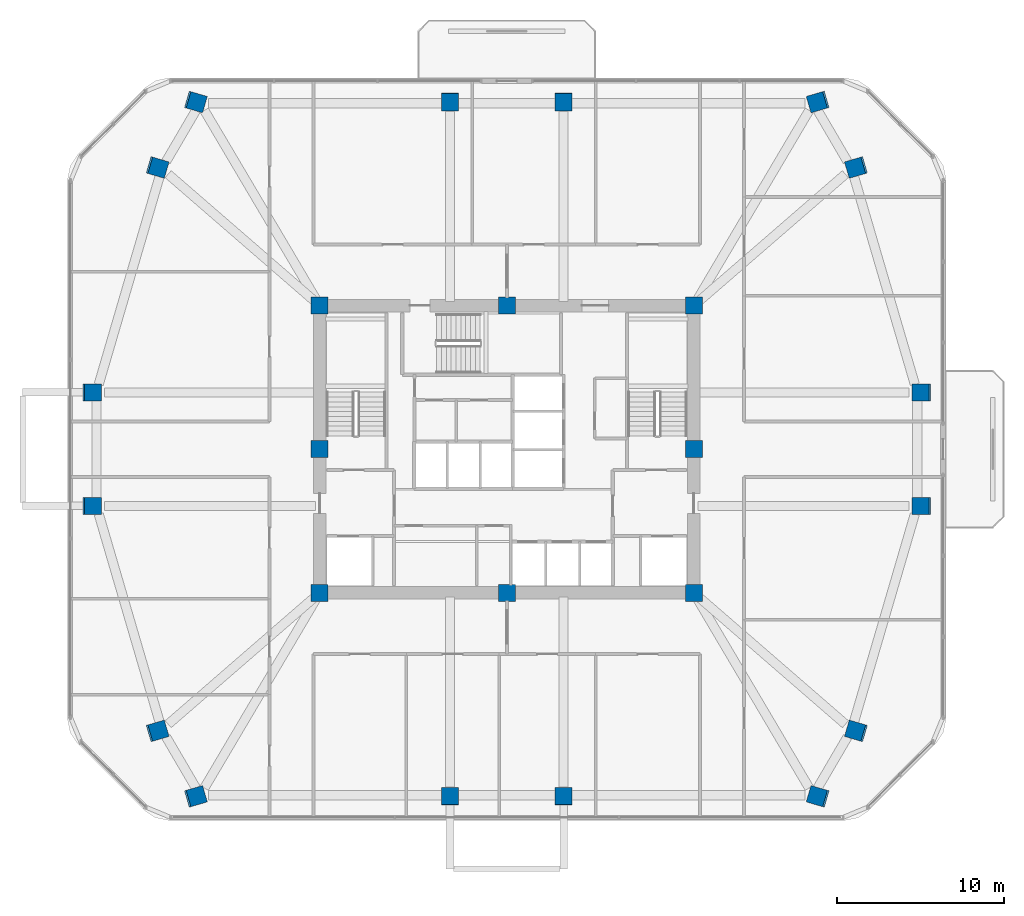
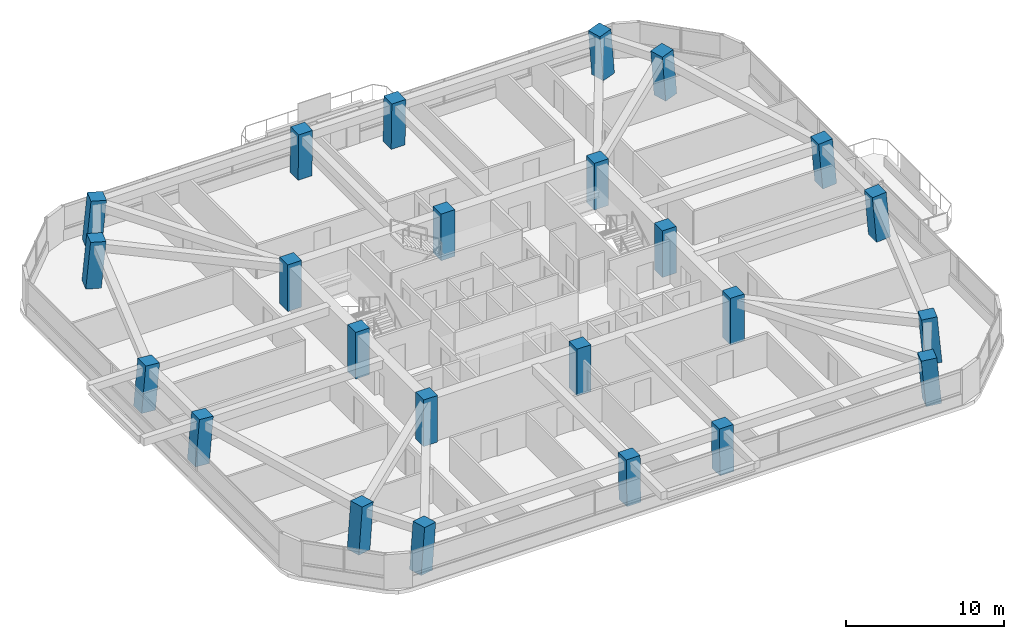
# One storey, part 1 of 14: 24 columns.
"""IFC4 building model written with IfcOpenShell, lengths in metres."""

from ifc_helpers import new_model, si_unit, derived_unit, direction, frame, origin, origin_2d, place, context, subcontext, project, spatial, rectangle, extrude, material, material_profile, profile_set, type_object, element, save


model = new_model("IFC4")

# Units and contexts
model_context = context("Model", 3, precision=1e-05, world=origin(), true_north=direction((0.0, 1.0)))
body_context = subcontext(model_context, "Body", "Model", "MODEL_VIEW")
ifc_project = project(units=[si_unit("LENGTHUNIT", "METRE"), si_unit("AREAUNIT", "SQUARE_METRE"), si_unit("VOLUMEUNIT", "CUBIC_METRE"), si_unit("PLANEANGLEUNIT", "RADIAN"), si_unit("MASSUNIT", "GRAM", prefix="KILO"), derived_unit("THERMALTRANSMITTANCEUNIT", [(si_unit("POWERUNIT", "WATT"), 1), (si_unit("LENGTHUNIT", "METRE"), -2), (si_unit("THERMODYNAMICTEMPERATUREUNIT", "KELVIN"), -1)])], contexts=[model_context])

# Site, building, storey
site_placement = place(None, origin())
site = spatial("IfcSite", under=ifc_project, at=site_placement, CompositionType="ELEMENT")
building_placement = place(site_placement, origin())
building = spatial("IfcBuilding", under=site, at=building_placement, Name="Koralith Skygarden Medical Center", CompositionType="ELEMENT")
storey_placement = place(building_placement, frame((0.0, 0.0, 95.580078125)))
storey = spatial("IfcBuildingStorey", under=building, at=storey_placement, Name="L24", CompositionType="ELEMENT", Elevation=95.580078125)

# Columns
ifc_material = material(Name="Concrete C70/85", Category="concrete")
ifc_material_profile_1 = material_profile(ifc_material, rectangle(XDim=1.02001953125, YDim=1.02001953125, at=origin_2d()), Name="RC1020X1020")
ifc_profile_set_1 = profile_set([ifc_material_profile_1], Name="Concrete C70/85")
column_type_1 = type_object("IfcColumnType", Name="Core Mega-Column C70 RC1020", PredefinedType="COLUMN", material=ifc_profile_set_1)
for number, where, z_axis, x_axis, name in (
    (1, (25.800048828125, 17.300048828125, 0.0), (0.0, 0.0, 1.0), (1.0, 0.0, 0.0), "L24 Core Column CC-01"),
    (2, (37.0, 17.300048828125, 0.0), (0.0, 0.0, 1.0), (1.0, 0.0, 0.0), "L24 Core Column CC-02"),
    (3, (48.199951171875, 17.300048828125, 0.0), (0.0, 0.0, 1.0), (1.0, 0.0, 0.0), "L24 Core Column CC-03"),
    (4, (48.199951171875, 25.89990234375, 0.0), (0.0, 0.0, 1.0), (1.0, 0.0, 0.0), "L24 Core Column CC-04"),
    (5, (48.199951171875, 34.5, 0.0), (0.0, 0.0, 1.0), (1.0, 0.0, 0.0), "L24 Core Column CC-05"),
    (6, (37.0, 34.5, 0.0), (0.0, 0.0, 1.0), (1.0, 0.0, 0.0), "L24 Core Column CC-06"),
    (7, (25.800048828125, 34.5, 0.0), (0.0, 0.0, 1.0), (1.0, 0.0, 0.0), "L24 Core Column CC-07"),
    (8, (25.800048828125, 25.89990234375, 0.0), (0.0, 0.0, 1.0), (1.0, 0.0, 0.0), "L24 Core Column CC-08"),
):
    element("IfcColumn", number, at=place(storey_placement, frame(where, z_axis=z_axis, x_axis=x_axis)), inside=storey, type_object=column_type_1, Name=name, PredefinedType="COLUMN", context=body_context, shape_type="SweptSolid", body=[
        extrude(rectangle(XDim=1.02001953125, YDim=1.02001953125, at=origin_2d()), origin(), (0.0, 0.0, 1.0), 3.599853515625),
    ])
ifc_material_profile_2 = material_profile(ifc_material, rectangle(XDim=1.02001953125, YDim=1.02001953125, at=origin_2d()), Name="RC1020X1020")
ifc_profile_set_2 = profile_set([ifc_material_profile_2], Name="Concrete C70/85")
column_type_2 = type_object("IfcColumnType", Name="Zone 2 Waist-In Mega-Column C70 RC1020", PredefinedType="COLUMN", material=ifc_profile_set_2)
column_1_placement = place(storey_placement, frame((12.1240234375, 22.5, 0.02099609375), z_axis=(0.084850379912, 0.0, 0.996393703828), x_axis=(0.0, 1.0, 0.0)))
element("IfcColumn", 9, at=column_1_placement, inside=storey, type_object=column_type_2, Name="L24 Perimeter Mega-Column MC-01", PredefinedType="COLUMN", context=body_context, shape_type="SweptSolid", body=[
    extrude(rectangle(XDim=1.02001953125, YDim=1.02001953125, at=origin_2d()), origin(), (0.0, 0.0, 1.0), 3.57080078125),
])
for number, where, z_axis, x_axis, name in (
    (10, (16.044921875, 9.01708984375, 0.02099609375), (0.084552666287, 0.024880493556, 0.996108331289), (-0.282292283154, 0.959328445774, 0.0), "L24 Perimeter Mega-Column MC-02"),
    (11, (18.3359375, 5.096923828125, 0.02099609375), (0.084824545187, 0.024674988568, 0.996090327969), (-0.279316570626, 0.960199069659, 0.0), "L24 Perimeter Mega-Column MC-03"),
):
    element("IfcColumn", number, at=place(storey_placement, frame(where, z_axis=z_axis, x_axis=x_axis)), inside=storey, type_object=column_type_2, Name=name, PredefinedType="COLUMN", context=body_context, shape_type="SweptSolid", body=[
        extrude(rectangle(XDim=1.02001953125, YDim=1.02001953125, at=origin_2d()), origin(), (0.0, 0.0, 1.0), 3.57177734375),
    ])
for number, where, z_axis, x_axis, name in (
    (12, (33.60009765625, 5.096923828125, 0.02099609375), (0.0, 0.024764241283, 0.99969331915), (-1.0, 0.0, 0.0), "L24 Perimeter Mega-Column MC-04"),
    (13, (40.39990234375, 5.096923828125, 0.02099609375), (0.0, 0.024764241283, 0.99969331915), (-1.0, 0.0, 0.0), "L24 Perimeter Mega-Column MC-05"),
):
    element("IfcColumn", number, at=place(storey_placement, frame(where, z_axis=z_axis, x_axis=x_axis)), inside=storey, type_object=column_type_2, Name=name, PredefinedType="COLUMN", context=body_context, shape_type="SweptSolid", body=[
        extrude(rectangle(XDim=1.02001953125, YDim=1.02001953125, at=origin_2d()), origin(), (0.0, 0.0, 1.0), 3.558837890625),
    ])
for number, where, z_axis, x_axis, name in (
    (14, (55.6640625, 5.096923828125, 0.02099609375), (-0.084824545187, 0.024674988568, 0.996090327969), (-0.279316570626, -0.960199069659, 0.0), "L24 Perimeter Mega-Column MC-06"),
    (15, (57.955078125, 9.01708984375, 0.02099609375), (-0.084552666287, 0.024880493556, 0.996108331289), (-0.282292283154, -0.959328445774, 0.0), "L24 Perimeter Mega-Column MC-07"),
):
    element("IfcColumn", number, at=place(storey_placement, frame(where, z_axis=z_axis, x_axis=x_axis)), inside=storey, type_object=column_type_2, Name=name, PredefinedType="COLUMN", context=body_context, shape_type="SweptSolid", body=[
        extrude(rectangle(XDim=1.02001953125, YDim=1.02001953125, at=origin_2d()), origin(), (0.0, 0.0, 1.0), 3.57177734375),
    ])
for number, where, z_axis, x_axis, name in (
    (16, (61.8759765625, 22.5, 0.02099609375), (-0.084850379912, 0.0, 0.996393703828), (0.0, -1.0, 0.0), "L24 Perimeter Mega-Column MC-08"),
    (17, (61.8759765625, 29.300048828125, 0.02099609375), (-0.084850379912, 0.0, 0.996393703828), (0.0, -1.0, 0.0), "L24 Perimeter Mega-Column MC-09"),
):
    element("IfcColumn", number, at=place(storey_placement, frame(where, z_axis=z_axis, x_axis=x_axis)), inside=storey, type_object=column_type_2, Name=name, PredefinedType="COLUMN", context=body_context, shape_type="SweptSolid", body=[
        extrude(rectangle(XDim=1.02001953125, YDim=1.02001953125, at=origin_2d()), origin(), (0.0, 0.0, 1.0), 3.57080078125),
    ])
for number, where, z_axis, x_axis, name in (
    (18, (57.955078125, 42.782958984375, 0.02099609375), (-0.084552666287, -0.024880493556, 0.996108331289), (0.282292283154, -0.959328445774, 0.0), "L24 Perimeter Mega-Column MC-10"),
    (19, (55.6640625, 46.702880859375, 0.02099609375), (-0.084824114217, -0.024879917466, 0.99608526711), (0.281454582132, -0.95957455062, 0.0), "L24 Perimeter Mega-Column MC-11"),
):
    element("IfcColumn", number, at=place(storey_placement, frame(where, z_axis=z_axis, x_axis=x_axis)), inside=storey, type_object=column_type_2, Name=name, PredefinedType="COLUMN", context=body_context, shape_type="SweptSolid", body=[
        extrude(rectangle(XDim=1.02001953125, YDim=1.02001953125, at=origin_2d()), origin(), (0.0, 0.0, 1.0), 3.57177734375),
    ])
for number, where, z_axis, x_axis, name in (
    (20, (40.39990234375, 46.702880859375, 0.02099609375), (0.0, -0.024969910516, 0.999688203176), (1.0, 0.0, 0.0), "L24 Perimeter Mega-Column MC-12"),
    (21, (33.60009765625, 46.702880859375, 0.02099609375), (0.0, -0.024969910516, 0.999688203176), (1.0, 0.0, 0.0), "L24 Perimeter Mega-Column MC-13"),
):
    element("IfcColumn", number, at=place(storey_placement, frame(where, z_axis=z_axis, x_axis=x_axis)), inside=storey, type_object=column_type_2, Name=name, PredefinedType="COLUMN", context=body_context, shape_type="SweptSolid", body=[
        extrude(rectangle(XDim=1.02001953125, YDim=1.02001953125, at=origin_2d()), origin(), (0.0, 0.0, 1.0), 3.55908203125),
    ])
for number, where, z_axis, x_axis, name in (
    (22, (18.3359375, 46.702880859375, 0.02099609375), (0.084824114217, -0.024879917466, 0.99608526711), (0.281454582132, 0.95957455062, 0.0), "L24 Perimeter Mega-Column MC-14"),
    (23, (16.044921875, 42.782958984375, 0.02099609375), (0.084552666287, -0.024880493556, 0.996108331289), (0.282292283154, 0.959328445774, 0.0), "L24 Perimeter Mega-Column MC-15"),
):
    element("IfcColumn", number, at=place(storey_placement, frame(where, z_axis=z_axis, x_axis=x_axis)), inside=storey, type_object=column_type_2, Name=name, PredefinedType="COLUMN", context=body_context, shape_type="SweptSolid", body=[
        extrude(rectangle(XDim=1.02001953125, YDim=1.02001953125, at=origin_2d()), origin(), (0.0, 0.0, 1.0), 3.57177734375),
    ])
column_2_placement = place(storey_placement, frame((12.1240234375, 29.300048828125, 0.02099609375), z_axis=(0.084850379912, 0.0, 0.996393703828), x_axis=(0.0, 1.0, 0.0)))
element("IfcColumn", 24, at=column_2_placement, inside=storey, type_object=column_type_2, Name="L24 Perimeter Mega-Column MC-16", PredefinedType="COLUMN", context=body_context, shape_type="SweptSolid", body=[
    extrude(rectangle(XDim=1.02001953125, YDim=1.02001953125, at=origin_2d()), origin(), (0.0, 0.0, 1.0), 3.57080078125),
])

save(model, "model.ifc")
